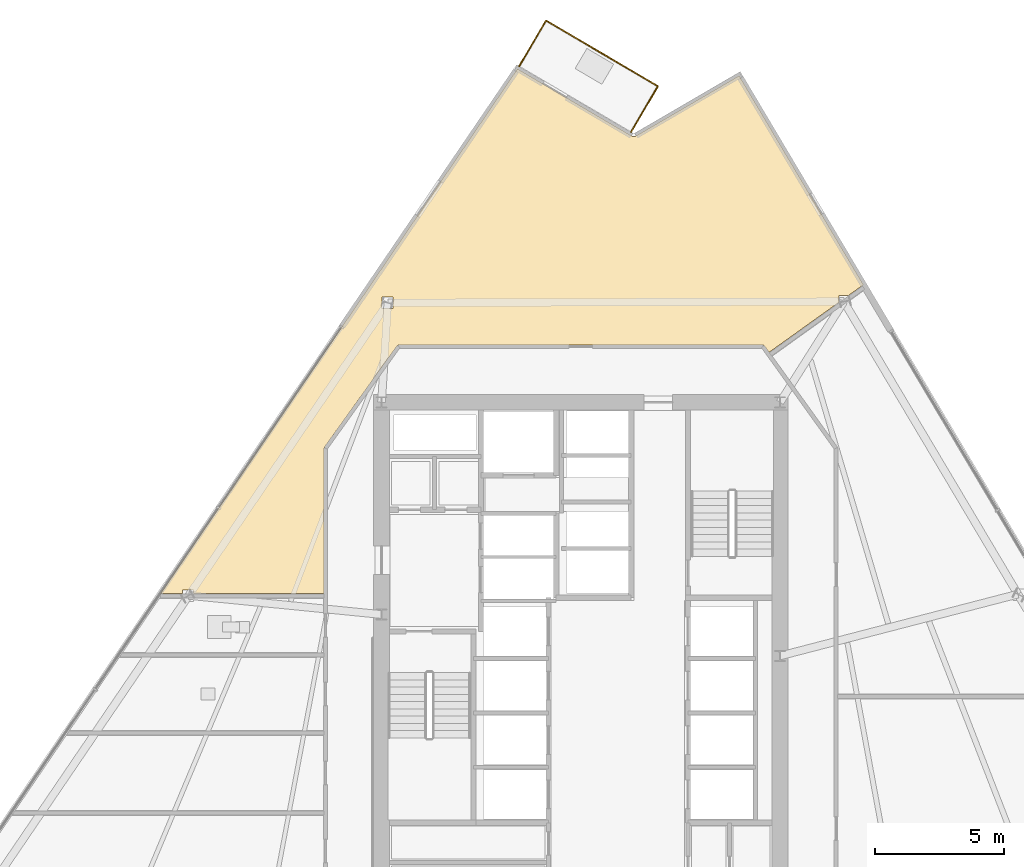
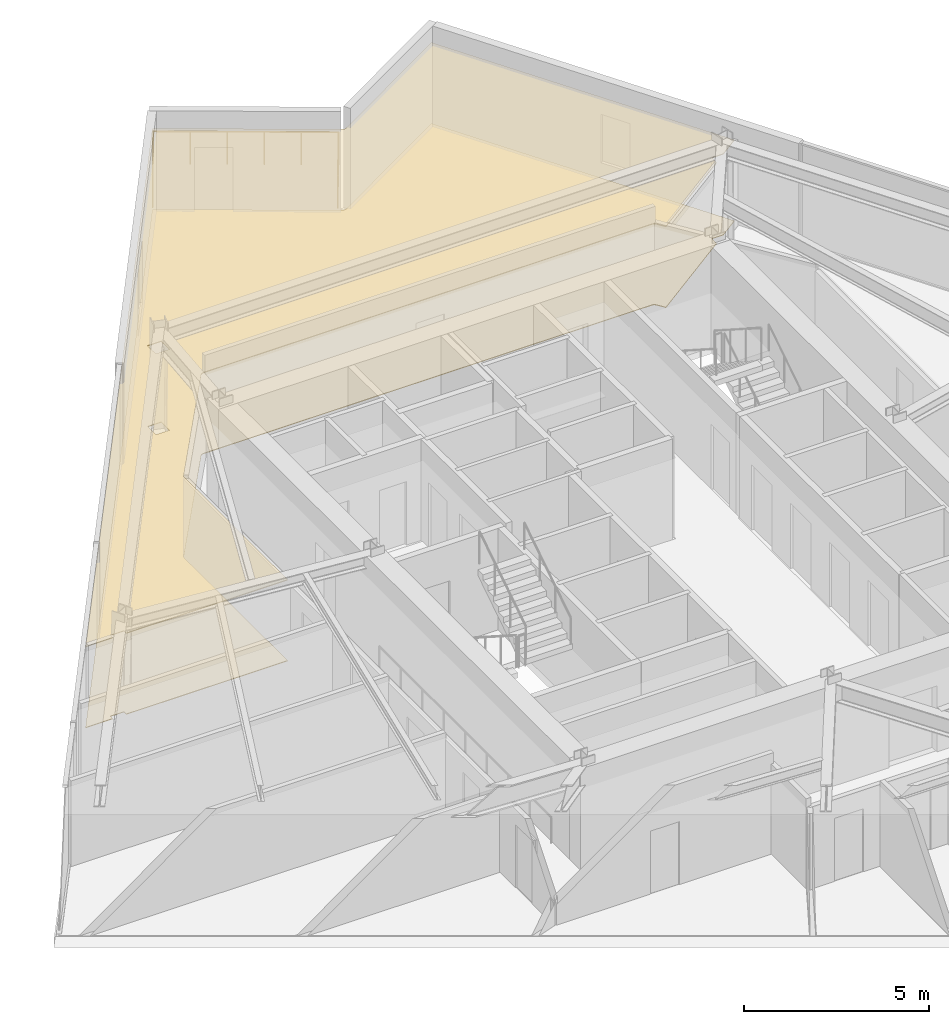
# One storey, part 14 of 15: 3 railings, 2 coverings.
"""IFC4 building model written with IfcOpenShell, lengths in metres."""

from ifc_helpers import new_model, si_unit, direction, frame, origin, origin_2d, place, context, subcontext, project, spatial, polyline, circle, outline, extrude, material, layer, layer_set, type_object, element, save


model = new_model("IFC4")

# Units and contexts
model_context = context("Model", 3, precision=1e-05, world=origin(), true_north=direction((0.0, 1.0)))
body_context = subcontext(model_context, "Body", "Model", "MODEL_VIEW")
ifc_project = project(units=[si_unit("LENGTHUNIT", "METRE"), si_unit("AREAUNIT", "SQUARE_METRE"), si_unit("VOLUMEUNIT", "CUBIC_METRE"), si_unit("PLANEANGLEUNIT", "RADIAN"), si_unit("MASSUNIT", "GRAM", prefix="KILO")], contexts=[model_context])

# Site, building, storey
site_placement = place(None, origin())
site = spatial("IfcSite", under=ifc_project, at=site_placement, CompositionType="ELEMENT")
building_placement = place(site_placement, origin())
building = spatial("IfcBuilding", under=site, at=building_placement, Name="Savorim Split Tower", CompositionType="ELEMENT")
storey_placement = place(building_placement, frame((0.0, 0.0, 86.10009765625)))
storey = spatial("IfcBuildingStorey", under=building, at=storey_placement, Name="L22", CompositionType="ELEMENT", Elevation=86.10009765625)

# Coverings
ifc_material_1 = material(Name="Mineral Fibre Acoustic Ceiling")
ifc_layer_1 = layer(ifc_material_1, 0.02490234375)
ifc_layer_set_1 = layer_set([ifc_layer_1], Name="COV-CEIL-25")
covering_type_1 = type_object("IfcCoveringType", Name="COV-CEIL-25", PredefinedType="CEILING", material=ifc_layer_set_1)
covering_1_placement = place(storey_placement, frame((0.0, 0.0, 2.669921875)))
element("IfcCovering", 1, at=covering_1_placement, inside=storey, type_object=covering_type_1, Name="L22 Maker Workshop Acoustic Ceiling", PredefinedType="CEILING", context=body_context, shape_type="SweptSolid", body=[
    extrude(outline(polyline([(2.0068359375, 20.472412109375), (1.99609375, 20.476806640625), (1.986083984375, 20.482177734375), (-2.447265625, 23.087646484375), (-16.238037109375, 2.8154296875), (-15.391357421875, 2.8154296875), (-15.391357421875, 2.943115234375), (-14.96240234375, 2.943115234375), (-14.96240234375, 2.8154296875), (-9.919921875, 2.8154296875), (-9.919921875, 8.39990234375), (-9.919189453125, 8.41455078125), (-9.9169921875, 8.4287109375), (-9.913330078125, 8.44287109375), (-9.908203125, 8.456298828125), (-9.901611328125, 8.46923828125), (-9.893798828125, 8.4814453125), (-7.11376953125, 12.361572265625), (-7.105712890625, 12.3720703125), (-7.096435546875, 12.381591796875), (-7.086181640625, 12.39013671875), (-7.075439453125, 12.39794921875), (-7.06396484375, 12.404541015625), (-7.052001953125, 12.409912109375), (-7.039306640625, 12.414306640625), (-7.0263671875, 12.41748046875), (-7.01318359375, 12.41943359375), (-7.0, 12.419921875), (7.0, 12.419921875), (7.01318359375, 12.41943359375), (7.0263671875, 12.41748046875), (7.039306640625, 12.414306640625), (7.052001953125, 12.409912109375), (7.06396484375, 12.404541015625), (7.075439453125, 12.39794921875), (7.086181640625, 12.39013671875), (7.096435546875, 12.381591796875), (7.105712890625, 12.3720703125), (7.11376953125, 12.361572265625), (7.278564453125, 12.131591796875), (9.9736328125, 14.0625), (9.9736328125, 14.32177734375), (10.335693359375, 14.32177734375), (10.876708984375, 14.70947265625), (10.923828125, 14.743408203125), (6.120849609375, 22.821044921875), (2.107177734375, 20.48193359375), (2.096923828125, 20.4765625), (2.086181640625, 20.472412109375), (2.0751953125, 20.468994140625), (2.06396484375, 20.466796875), (2.052490234375, 20.4658203125), (2.040771484375, 20.4658203125), (2.029296875, 20.466796875), (2.01806640625, 20.468994140625), (2.0068359375, 20.472412109375)]), holes=[polyline([(-7.2548828125, 14.27294921875), (-7.683837890625, 14.27294921875), (-7.683837890625, 13.827880859375), (-7.2548828125, 13.827880859375), (-7.2548828125, 14.27294921875)])]), origin(), (0.0, 0.0, 1.0), 0.02490234375),
])
ifc_material_2 = material(Name="Porcelain Stoneware Flooring", Category="masonry")
ifc_layer_2 = layer(ifc_material_2, 0.02001953125)
ifc_layer_set_2 = layer_set([ifc_layer_2], Name="COV-FLOR-20")
covering_type_2 = type_object("IfcCoveringType", Name="COV-FLOR-20", PredefinedType="FLOORING", material=ifc_layer_set_2)
covering_2_placement = place(storey_placement, origin())
element("IfcCovering", 2, at=covering_2_placement, inside=storey, type_object=covering_type_2, Name="L22 Maker Workshop Porcelain Flooring", PredefinedType="FLOORING", context=body_context, shape_type="SweptSolid", body=[
    extrude(outline(polyline([(2.0068359375, 20.472412109375), (1.99609375, 20.476806640625), (1.986083984375, 20.482177734375), (-2.447265625, 23.087646484375), (-16.238037109375, 2.8154296875), (-15.391357421875, 2.8154296875), (-15.391357421875, 2.943115234375), (-14.96240234375, 2.943115234375), (-14.96240234375, 2.8154296875), (-9.919921875, 2.8154296875), (-9.919921875, 8.39990234375), (-9.919189453125, 8.41455078125), (-9.9169921875, 8.4287109375), (-9.913330078125, 8.44287109375), (-9.908203125, 8.456298828125), (-9.901611328125, 8.46923828125), (-9.893798828125, 8.4814453125), (-7.11376953125, 12.361572265625), (-7.105712890625, 12.3720703125), (-7.096435546875, 12.381591796875), (-7.086181640625, 12.39013671875), (-7.075439453125, 12.39794921875), (-7.06396484375, 12.404541015625), (-7.052001953125, 12.409912109375), (-7.039306640625, 12.414306640625), (-7.0263671875, 12.41748046875), (-7.01318359375, 12.41943359375), (-7.0, 12.419921875), (7.0, 12.419921875), (7.01318359375, 12.41943359375), (7.0263671875, 12.41748046875), (7.039306640625, 12.414306640625), (7.052001953125, 12.409912109375), (7.06396484375, 12.404541015625), (7.075439453125, 12.39794921875), (7.086181640625, 12.39013671875), (7.096435546875, 12.381591796875), (7.105712890625, 12.3720703125), (7.11376953125, 12.361572265625), (7.278564453125, 12.131591796875), (9.9736328125, 14.0625), (9.9736328125, 14.32177734375), (10.335693359375, 14.32177734375), (10.876708984375, 14.70947265625), (10.923828125, 14.743408203125), (6.120849609375, 22.821044921875), (2.107177734375, 20.48193359375), (2.096923828125, 20.4765625), (2.086181640625, 20.472412109375), (2.0751953125, 20.468994140625), (2.06396484375, 20.466796875), (2.052490234375, 20.4658203125), (2.040771484375, 20.4658203125), (2.029296875, 20.466796875), (2.01806640625, 20.468994140625), (2.0068359375, 20.472412109375)]), holes=[polyline([(-7.2548828125, 14.27294921875), (-7.683837890625, 14.27294921875), (-7.683837890625, 13.827880859375), (-7.2548828125, 13.827880859375), (-7.2548828125, 14.27294921875)])]), origin(), (0.0, 0.0, 1.0), 0.02001953125),
])

# Railings
ifc_material_3 = material(Name="Galvanised Painted Steel Balustrade", Category="steel")
railing_type = type_object("IfcRailingType", Name="RLG-BAL-1100", PredefinedType="BALUSTRADE", material=ifc_material_3)
railing_1_placement = place(storey_placement, frame((-2.3798828125, 23.187255859375, 0.0)))
element("IfcRailing", 3, at=railing_1_placement, inside=storey, type_object=railing_type, Name="L22 Tree Balcony Guardrail N-1", PredefinedType="BALUSTRADE", context=body_context, shape_type="SweptSolid", body=[
    extrude(circle(Radius=0.02392578125, at=origin_2d()), frame((0.0, 0.0, 1.076171875), z_axis=(0.506733850669, 0.862102548764, 0.0), x_axis=(-0.862102548764, 0.506733850669, 0.0)), (0.0, 0.0, 1.0), 2.050048828125),
    extrude(circle(Radius=0.02099609375, at=origin_2d()), origin(), (0.0, 0.0, 1.0), 1.052001953125),
    extrude(circle(Radius=0.02099609375, at=origin_2d()), frame((0.51953125, 0.8837890625, 0.0)), (0.0, 0.0, 1.0), 1.052001953125),
    extrude(circle(Radius=0.02099609375, at=origin_2d()), frame((1.038818359375, 1.767333984375, 0.0)), (0.0, 0.0, 1.0), 1.052001953125),
])
railing_2_placement = place(storey_placement, frame((-1.341064453125, 24.95458984375, 0.0)))
element("IfcRailing", 4, at=railing_2_placement, inside=storey, type_object=railing_type, Name="L22 Tree Balcony Guardrail N-2", PredefinedType="BALUSTRADE", context=body_context, shape_type="SweptSolid", body=[
    extrude(circle(Radius=0.02392578125, at=origin_2d()), frame((0.0, 0.0, 1.076171875), z_axis=(0.862123150864, -0.506698798839, 0.0), x_axis=(0.506698798839, 0.862123150864, 0.0)), (0.0, 0.0, 1.0), 5.014404296875),
    extrude(circle(Radius=0.02099609375, at=origin_2d()), origin(), (0.0, 0.0, 1.0), 1.052001953125),
    extrude(circle(Radius=0.02099609375, at=origin_2d()), frame((0.864501953125, -0.508056640625, 0.0)), (0.0, 0.0, 1.0), 1.052001953125),
    extrude(circle(Radius=0.02099609375, at=origin_2d()), frame((1.729248046875, -1.016357421875, 0.0)), (0.0, 0.0, 1.0), 1.052001953125),
    extrude(circle(Radius=0.02099609375, at=origin_2d()), frame((2.59375, -1.5244140625, 0.0)), (0.0, 0.0, 1.0), 1.052001953125),
    extrude(circle(Radius=0.02099609375, at=origin_2d()), frame((3.45849609375, -2.03271484375, 0.0)), (0.0, 0.0, 1.0), 1.052001953125),
    extrude(circle(Radius=0.02099609375, at=origin_2d()), frame((4.322998046875, -2.540771484375, 0.0)), (0.0, 0.0, 1.0), 1.052001953125),
])
railing_3_placement = place(storey_placement, frame((2.98193359375, 22.413818359375, 0.0)))
element("IfcRailing", 5, at=railing_3_placement, inside=storey, type_object=railing_type, Name="L22 Tree Balcony Guardrail N-3", PredefinedType="BALUSTRADE", context=body_context, shape_type="SweptSolid", body=[
    extrude(circle(Radius=0.02392578125, at=origin_2d()), frame((0.0, 0.0, 1.076171875), z_axis=(-0.50664533146, -0.862154573211, 0.0), x_axis=(0.862154573211, -0.50664533146, 0.0)), (0.0, 0.0, 1.0), 2.0498046875),
    extrude(circle(Radius=0.02099609375, at=origin_2d()), origin(), (0.0, 0.0, 1.0), 1.052001953125),
    extrude(circle(Radius=0.02099609375, at=origin_2d()), frame((-0.519287109375, -0.8837890625, 0.0)), (0.0, 0.0, 1.0), 1.052001953125),
    extrude(circle(Radius=0.02099609375, at=origin_2d()), frame((-1.03857421875, -1.767333984375, 0.0)), (0.0, 0.0, 1.0), 1.052001953125),
])

save(model, "model.ifc")
